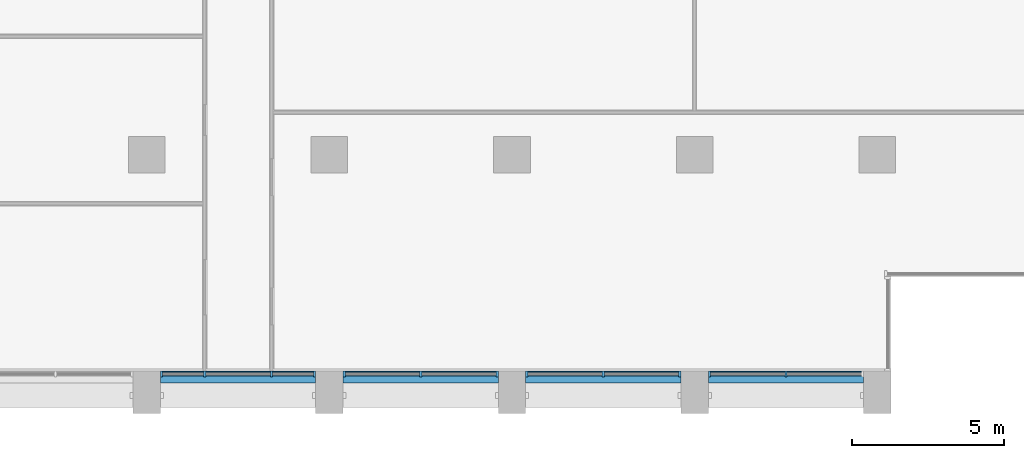
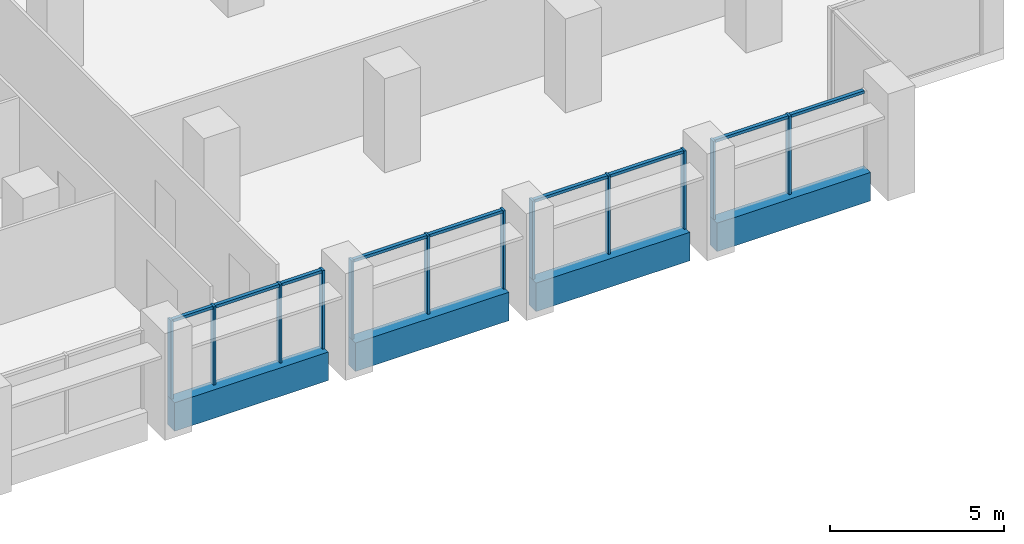
# One storey, part 3 of 15: 21 members, 4 beams, 4 elements without a shape of their own.
"""IFC4 building model written with IfcOpenShell, lengths in metres."""

from ifc_helpers import new_model, si_unit, direction, frame, origin, origin_2d, place, context, subcontext, project, spatial, rectangle, extrude, material, material_profile, profile_set, type_object, element, aggregate, save


model = new_model("IFC4")

# Units and contexts
model_context = context("Model", 3, precision=1e-05, world=origin(), true_north=direction((0.0, 1.0)))
body_context = subcontext(model_context, "Body", "Model", "MODEL_VIEW")
ifc_project = project(units=[si_unit("LENGTHUNIT", "METRE"), si_unit("AREAUNIT", "SQUARE_METRE"), si_unit("VOLUMEUNIT", "CUBIC_METRE"), si_unit("PLANEANGLEUNIT", "RADIAN"), si_unit("MASSUNIT", "GRAM", prefix="KILO")], contexts=[model_context])

# Site, building, storey
site_placement = place(None, origin())
site = spatial("IfcSite", under=ifc_project, at=site_placement, CompositionType="ELEMENT")
building_placement = place(site_placement, origin())
building = spatial("IfcBuilding", under=site, at=building_placement, Name="Calvaro Tower", CompositionType="ELEMENT")
storey_placement = place(building_placement, frame((0.0, 0.0, 147.5)))
storey = spatial("IfcBuildingStorey", under=building, at=storey_placement, Name="L37", CompositionType="ELEMENT", Elevation=147.5)

# Curtain wall, members
ifc_material_1 = material(Name="Anodised aluminium", Category="aluminium")
curtain_wall_type = type_object("IfcCurtainWallType", Name="Office curtain wall, middle zone", PredefinedType="NOTDEFINED", material=ifc_material_1)
curtain_wall_1_placement = place(storey_placement, origin())
curtain_wall_1 = element("IfcCurtainWall", 1, at=curtain_wall_1_placement, inside=storey, type_object=curtain_wall_type, Name="CW2 south curtain wall", PredefinedType="NOTDEFINED")
ifc_material_2 = material(Name="Anodised aluminium", Category="aluminium")
ifc_material_profile_1 = material_profile(ifc_material_2, rectangle(XDim=0.199951171875, YDim=0.070068359375, at=origin_2d()), Name="Mullion S2 70 x 200")
ifc_profile_set_1 = profile_set([ifc_material_profile_1], Name="Anodised aluminium")
member_type_1 = type_object("IfcMemberType", Name="Mullion S2 70 x 200", PredefinedType="MULLION", material=ifc_profile_set_1)
member_1_placement = place(storey_placement, frame((42.485107421875, 2.800048828125, 0.0), z_axis=(0.0, 0.0, 1.0), x_axis=(0.0, 1.0, 0.0)))
member_1 = element("IfcMember", 2, at=member_1_placement, type_object=member_type_1, Name="CW2 mullion 1", PredefinedType="MULLION", context=body_context, shape_type="SweptSolid", body=[
    extrude(rectangle(XDim=0.199951171875, YDim=0.070068359375, at=origin_2d()), origin(), (0.0, 0.0, 1.0), 2.75),
])
member_2_placement = place(storey_placement, frame((43.89990234375, 2.800048828125, 0.0), z_axis=(0.0, 0.0, 1.0), x_axis=(0.0, 1.0, 0.0)))
member_2 = element("IfcMember", 3, at=member_2_placement, type_object=member_type_1, Name="CW2 mullion 2", PredefinedType="MULLION", context=body_context, shape_type="SweptSolid", body=[
    extrude(rectangle(XDim=0.199951171875, YDim=0.070068359375, at=origin_2d()), origin(), (0.0, 0.0, 1.0), 2.75),
])
member_3_placement = place(storey_placement, frame((46.10009765625, 2.800048828125, 0.0), z_axis=(0.0, 0.0, 1.0), x_axis=(0.0, 1.0, 0.0)))
member_3 = element("IfcMember", 4, at=member_3_placement, type_object=member_type_1, Name="CW2 mullion 3", PredefinedType="MULLION", context=body_context, shape_type="SweptSolid", body=[
    extrude(rectangle(XDim=0.199951171875, YDim=0.070068359375, at=origin_2d()), origin(), (0.0, 0.0, 1.0), 2.75),
])
member_4_placement = place(storey_placement, frame((47.514892578125, 2.800048828125, 0.0), z_axis=(0.0, 0.0, 1.0), x_axis=(0.0, 1.0, 0.0)))
member_4 = element("IfcMember", 5, at=member_4_placement, type_object=member_type_1, Name="CW2 mullion 4", PredefinedType="MULLION", context=body_context, shape_type="SweptSolid", body=[
    extrude(rectangle(XDim=0.199951171875, YDim=0.070068359375, at=origin_2d()), origin(), (0.0, 0.0, 1.0), 2.75),
])

curtain_wall_2_placement = place(storey_placement, origin())
curtain_wall_2 = element("IfcCurtainWall", 6, at=curtain_wall_2_placement, inside=storey, type_object=curtain_wall_type, Name="CW2 south curtain wall", PredefinedType="NOTDEFINED")
member_5_placement = place(storey_placement, frame((48.485107421875, 2.800048828125, 0.0), z_axis=(0.0, 0.0, 1.0), x_axis=(0.0, 1.0, 0.0)))
member_5 = element("IfcMember", 7, at=member_5_placement, type_object=member_type_1, Name="CW2 mullion 1", PredefinedType="MULLION", context=body_context, shape_type="SweptSolid", body=[
    extrude(rectangle(XDim=0.199951171875, YDim=0.070068359375, at=origin_2d()), origin(), (0.0, 0.0, 1.0), 2.75),
])
member_6_placement = place(storey_placement, frame((51.0, 2.800048828125, 0.0), z_axis=(0.0, 0.0, 1.0), x_axis=(0.0, 1.0, 0.0)))
member_6 = element("IfcMember", 8, at=member_6_placement, type_object=member_type_1, Name="CW2 mullion 2", PredefinedType="MULLION", context=body_context, shape_type="SweptSolid", body=[
    extrude(rectangle(XDim=0.199951171875, YDim=0.070068359375, at=origin_2d()), origin(), (0.0, 0.0, 1.0), 2.75),
])
member_7_placement = place(storey_placement, frame((53.514892578125, 2.800048828125, 0.0), z_axis=(0.0, 0.0, 1.0), x_axis=(0.0, 1.0, 0.0)))
member_7 = element("IfcMember", 9, at=member_7_placement, type_object=member_type_1, Name="CW2 mullion 3", PredefinedType="MULLION", context=body_context, shape_type="SweptSolid", body=[
    extrude(rectangle(XDim=0.199951171875, YDim=0.070068359375, at=origin_2d()), origin(), (0.0, 0.0, 1.0), 2.75),
])

curtain_wall_3_placement = place(storey_placement, origin())
curtain_wall_3 = element("IfcCurtainWall", 10, at=curtain_wall_3_placement, inside=storey, type_object=curtain_wall_type, Name="CW2 south curtain wall", PredefinedType="NOTDEFINED")
member_8_placement = place(storey_placement, frame((54.485107421875, 2.800048828125, 0.0), z_axis=(0.0, 0.0, 1.0), x_axis=(0.0, 1.0, 0.0)))
member_8 = element("IfcMember", 11, at=member_8_placement, type_object=member_type_1, Name="CW2 mullion 1", PredefinedType="MULLION", context=body_context, shape_type="SweptSolid", body=[
    extrude(rectangle(XDim=0.199951171875, YDim=0.070068359375, at=origin_2d()), origin(), (0.0, 0.0, 1.0), 2.75),
])
member_9_placement = place(storey_placement, frame((57.0, 2.800048828125, 0.0), z_axis=(0.0, 0.0, 1.0), x_axis=(0.0, 1.0, 0.0)))
member_9 = element("IfcMember", 12, at=member_9_placement, type_object=member_type_1, Name="CW2 mullion 2", PredefinedType="MULLION", context=body_context, shape_type="SweptSolid", body=[
    extrude(rectangle(XDim=0.199951171875, YDim=0.070068359375, at=origin_2d()), origin(), (0.0, 0.0, 1.0), 2.75),
])
member_10_placement = place(storey_placement, frame((59.514892578125, 2.800048828125, 0.0), z_axis=(0.0, 0.0, 1.0), x_axis=(0.0, 1.0, 0.0)))
member_10 = element("IfcMember", 13, at=member_10_placement, type_object=member_type_1, Name="CW2 mullion 3", PredefinedType="MULLION", context=body_context, shape_type="SweptSolid", body=[
    extrude(rectangle(XDim=0.199951171875, YDim=0.070068359375, at=origin_2d()), origin(), (0.0, 0.0, 1.0), 2.75),
])

curtain_wall_4_placement = place(storey_placement, origin())
curtain_wall_4 = element("IfcCurtainWall", 14, at=curtain_wall_4_placement, inside=storey, type_object=curtain_wall_type, Name="CW2 south curtain wall", PredefinedType="NOTDEFINED")
member_11_placement = place(storey_placement, frame((60.485107421875, 2.800048828125, 0.0), z_axis=(0.0, 0.0, 1.0), x_axis=(0.0, 1.0, 0.0)))
member_11 = element("IfcMember", 15, at=member_11_placement, type_object=member_type_1, Name="CW2 mullion 1", PredefinedType="MULLION", context=body_context, shape_type="SweptSolid", body=[
    extrude(rectangle(XDim=0.199951171875, YDim=0.070068359375, at=origin_2d()), origin(), (0.0, 0.0, 1.0), 2.75),
])
member_12_placement = place(storey_placement, frame((63.0, 2.800048828125, 0.0), z_axis=(0.0, 0.0, 1.0), x_axis=(0.0, 1.0, 0.0)))
member_12 = element("IfcMember", 16, at=member_12_placement, type_object=member_type_1, Name="CW2 mullion 2", PredefinedType="MULLION", context=body_context, shape_type="SweptSolid", body=[
    extrude(rectangle(XDim=0.199951171875, YDim=0.070068359375, at=origin_2d()), origin(), (0.0, 0.0, 1.0), 2.75),
])

# Beams
ifc_material_3 = material(Name="Concrete C50/60 precast", Category="concrete")
ifc_material_profile_2 = material_profile(ifc_material_3, rectangle(XDim=0.39990234375, YDim=1.0, at=origin_2d()), Name="RC 400x1000")
ifc_profile_set_2 = profile_set([ifc_material_profile_2], Name="Concrete C50/60 precast")
beam_type = type_object("IfcBeamType", Name="Spandrel beam 400x1000 C50/60", PredefinedType="SPANDREL", material=ifc_profile_set_2)
for number, where, z_axis, x_axis, name in (
    (17, (42.449951171875, 2.699951171875, -0.5), (1.0, 0.0, 0.0), (0.0, 1.0, 0.0), "Spandrel beam"),
    (18, (48.449951171875, 2.699951171875, -0.5), (1.0, 0.0, 0.0), (0.0, 1.0, 0.0), "Spandrel beam"),
    (19, (54.449951171875, 2.699951171875, -0.5), (1.0, 0.0, 0.0), (0.0, 1.0, 0.0), "Spandrel beam"),
    (20, (60.449951171875, 2.699951171875, -0.5), (1.0, 0.0, 0.0), (0.0, 1.0, 0.0), "Spandrel beam"),
):
    element("IfcBeam", number, at=place(storey_placement, frame(where, z_axis=z_axis, x_axis=x_axis)), inside=storey, type_object=beam_type, Name=name, PredefinedType="SPANDREL", context=body_context, shape_type="SweptSolid", body=[
        extrude(rectangle(XDim=0.39990234375, YDim=1.0, at=origin_2d()), origin(), (0.0, 0.0, 1.0), 5.10009765625),
    ])

# Member
ifc_material_4 = material(Name="Anodised aluminium", Category="aluminium")
ifc_material_profile_3 = material_profile(ifc_material_4, rectangle(XDim=0.1201171875, YDim=0.10009765625, at=origin_2d()), Name="Transom S2 100 x 120")
ifc_profile_set_3 = profile_set([ifc_material_profile_3], Name="Anodised aluminium")
member_type_2 = type_object("IfcMemberType", Name="Transom S2 100 x 120", PredefinedType="USERDEFINED", material=ifc_profile_set_3)
member_13_placement = place(storey_placement, frame((42.52001953125, 2.800048828125, 2.699951171875), z_axis=(1.0, 0.0, 0.0), x_axis=(0.0, 1.0, 0.0)))
member_13 = element("IfcMember", 21, at=member_13_placement, type_object=member_type_2, Name="CW2 transom 1.1", ObjectType="TRANSOM", PredefinedType="USERDEFINED", context=body_context, shape_type="SweptSolid", body=[
    extrude(rectangle(XDim=0.1201171875, YDim=0.10009765625, at=origin_2d()), origin(), (0.0, 0.0, 1.0), 1.344970703125),
])

member_14_placement = place(storey_placement, frame((43.93505859375, 2.800048828125, 2.699951171875), z_axis=(1.0, 0.0, 0.0), x_axis=(0.0, 1.0, 0.0)))
member_14 = element("IfcMember", 22, at=member_14_placement, type_object=member_type_2, Name="CW2 transom 2.1", ObjectType="TRANSOM", PredefinedType="USERDEFINED", context=body_context, shape_type="SweptSolid", body=[
    extrude(rectangle(XDim=0.1201171875, YDim=0.10009765625, at=origin_2d()), origin(), (0.0, 0.0, 1.0), 2.1298828125),
])

member_15_placement = place(storey_placement, frame((46.135009765625, 2.800048828125, 2.699951171875), z_axis=(1.0, 0.0, 0.0), x_axis=(0.0, 1.0, 0.0)))
member_15 = element("IfcMember", 23, at=member_15_placement, type_object=member_type_2, Name="CW2 transom 3.1", ObjectType="TRANSOM", PredefinedType="USERDEFINED", context=body_context, shape_type="SweptSolid", body=[
    extrude(rectangle(XDim=0.1201171875, YDim=0.10009765625, at=origin_2d()), origin(), (0.0, 0.0, 1.0), 1.344970703125),
])

aggregate(curtain_wall_1, [member_1, member_2, member_3, member_4, member_13, member_14, member_15])

member_16_placement = place(storey_placement, frame((48.52001953125, 2.800048828125, 2.699951171875), z_axis=(1.0, 0.0, 0.0), x_axis=(0.0, 1.0, 0.0)))
member_16 = element("IfcMember", 24, at=member_16_placement, type_object=member_type_2, Name="CW2 transom 1.1", ObjectType="TRANSOM", PredefinedType="USERDEFINED", context=body_context, shape_type="SweptSolid", body=[
    extrude(rectangle(XDim=0.1201171875, YDim=0.10009765625, at=origin_2d()), origin(), (0.0, 0.0, 1.0), 2.445068359375),
])

member_17_placement = place(storey_placement, frame((51.034912109375, 2.800048828125, 2.699951171875), z_axis=(1.0, 0.0, 0.0), x_axis=(0.0, 1.0, 0.0)))
member_17 = element("IfcMember", 25, at=member_17_placement, type_object=member_type_2, Name="CW2 transom 2.1", ObjectType="TRANSOM", PredefinedType="USERDEFINED", context=body_context, shape_type="SweptSolid", body=[
    extrude(rectangle(XDim=0.1201171875, YDim=0.10009765625, at=origin_2d()), origin(), (0.0, 0.0, 1.0), 2.445068359375),
])

aggregate(curtain_wall_2, [member_5, member_6, member_7, member_16, member_17])

member_18_placement = place(storey_placement, frame((54.52001953125, 2.800048828125, 2.699951171875), z_axis=(1.0, 0.0, 0.0), x_axis=(0.0, 1.0, 0.0)))
member_18 = element("IfcMember", 26, at=member_18_placement, type_object=member_type_2, Name="CW2 transom 1.1", ObjectType="TRANSOM", PredefinedType="USERDEFINED", context=body_context, shape_type="SweptSolid", body=[
    extrude(rectangle(XDim=0.1201171875, YDim=0.10009765625, at=origin_2d()), origin(), (0.0, 0.0, 1.0), 2.445068359375),
])

member_19_placement = place(storey_placement, frame((57.034912109375, 2.800048828125, 2.699951171875), z_axis=(1.0, 0.0, 0.0), x_axis=(0.0, 1.0, 0.0)))
member_19 = element("IfcMember", 27, at=member_19_placement, type_object=member_type_2, Name="CW2 transom 2.1", ObjectType="TRANSOM", PredefinedType="USERDEFINED", context=body_context, shape_type="SweptSolid", body=[
    extrude(rectangle(XDim=0.1201171875, YDim=0.10009765625, at=origin_2d()), origin(), (0.0, 0.0, 1.0), 2.445068359375),
])

aggregate(curtain_wall_3, [member_8, member_9, member_10, member_18, member_19])

member_20_placement = place(storey_placement, frame((60.52001953125, 2.800048828125, 2.699951171875), z_axis=(1.0, 0.0, 0.0), x_axis=(0.0, 1.0, 0.0)))
member_20 = element("IfcMember", 28, at=member_20_placement, type_object=member_type_2, Name="CW2 transom 1.1", ObjectType="TRANSOM", PredefinedType="USERDEFINED", context=body_context, shape_type="SweptSolid", body=[
    extrude(rectangle(XDim=0.1201171875, YDim=0.10009765625, at=origin_2d()), origin(), (0.0, 0.0, 1.0), 2.445068359375),
])

member_21_placement = place(storey_placement, frame((63.034912109375, 2.800048828125, 2.699951171875), z_axis=(1.0, 0.0, 0.0), x_axis=(0.0, 1.0, 0.0)))
member_21 = element("IfcMember", 29, at=member_21_placement, type_object=member_type_2, Name="CW2 transom 2.1", ObjectType="TRANSOM", PredefinedType="USERDEFINED", context=body_context, shape_type="SweptSolid", body=[
    extrude(rectangle(XDim=0.1201171875, YDim=0.10009765625, at=origin_2d()), origin(), (0.0, 0.0, 1.0), 2.445068359375),
])

aggregate(curtain_wall_4, [member_11, member_12, member_20, member_21])

save(model, "model.ifc")
